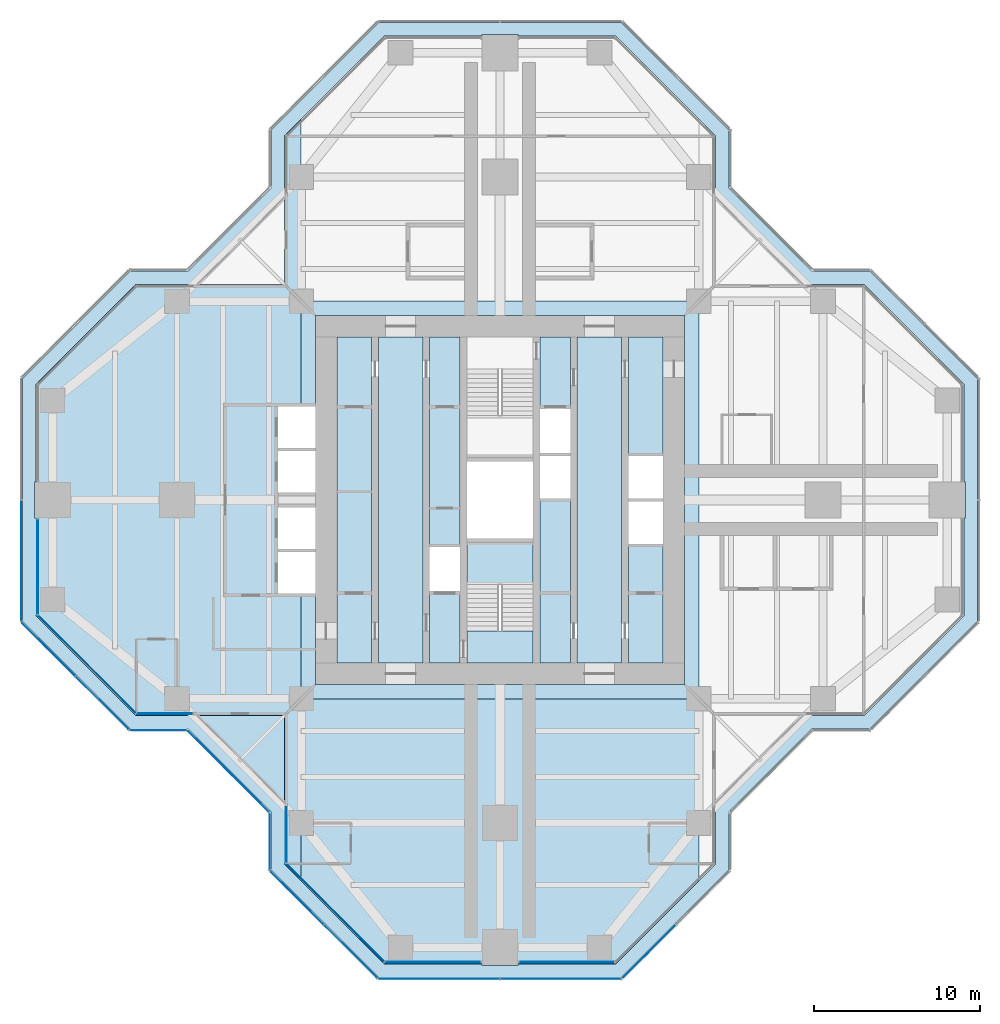
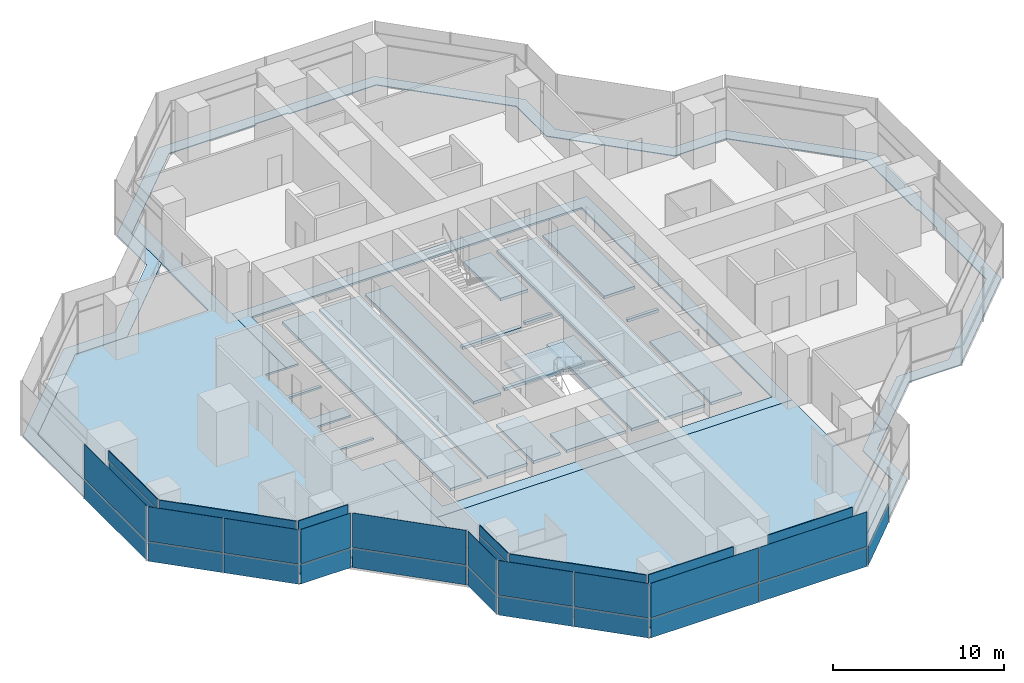
# One storey, part 10 of 17: 36 plates, 7 slabs, 16 elements without a shape of their own.
"""IFC4 building model written with IfcOpenShell, lengths in metres."""

from ifc_helpers import new_model, si_unit, direction, frame, origin, origin_2d, place, context, subcontext, project, spatial, polyline, rectangle, outline, extrude, material, layer, layer_set, type_object, element, aggregate, save


model = new_model("IFC4")

# Units and contexts
model_context = context("Model", 3, precision=1e-05, world=origin(), true_north=direction((0.0, 1.0)))
body_context = subcontext(model_context, "Body", "Model", "MODEL_VIEW")
ifc_project = project(units=[si_unit("LENGTHUNIT", "METRE"), si_unit("AREAUNIT", "SQUARE_METRE"), si_unit("VOLUMEUNIT", "CUBIC_METRE"), si_unit("PLANEANGLEUNIT", "RADIAN"), si_unit("MASSUNIT", "GRAM", prefix="KILO")], contexts=[model_context])

# Site, building, storey
site_placement = place(None, origin())
site = spatial("IfcSite", under=ifc_project, at=site_placement, CompositionType="ELEMENT")
building_placement = place(site_placement, origin())
building = spatial("IfcBuilding", under=site, at=building_placement, Name="Mizan Broadcast Tower", CompositionType="ELEMENT")
storey_placement = place(building_placement, frame((0.0, 0.0, 236.10009765625)))
storey = spatial("IfcBuildingStorey", under=building, at=storey_placement, Name="L55", CompositionType="ELEMENT", Elevation=236.10009765625)

# Plate
ifc_material_1 = material(Name="Aluminium grating", Category="aluminium")
ifc_layer_1 = layer(ifc_material_1, 0.050048828125)
ifc_layer_set_1 = layer_set([ifc_layer_1], Name="Aluminium grating")
plate_type_1 = type_object("IfcPlateType", Name="CAVITY GRATING", PredefinedType="USERDEFINED", material=ifc_layer_set_1)
plate_1_placement = place(storey_placement, frame((0.0, 0.0, -0.050048828125)))
element("IfcPlate", 1, at=plate_1_placement, inside=storey, type_object=plate_type_1, Name="Cavity grating L55", ObjectType="GRATING", PredefinedType="USERDEFINED", context=body_context, shape_type="SweptSolid", body=[
    extrude(outline(polyline([(13.820068359375, -18.839599609375), (18.839599609375, -13.820068359375), (22.339599609375, -13.820068359375), (28.820068359375, -7.339599609375), (28.820068359375, 7.339599609375), (22.339599609375, 13.820068359375), (18.839599609375, 13.820068359375), (13.820068359375, 18.839599609375), (13.820068359375, 22.339599609375), (7.339599609375, 28.820068359375), (-7.339599609375, 28.820068359375), (-13.820068359375, 22.339599609375), (-13.820068359375, 18.839599609375), (-18.839599609375, 13.820068359375), (-22.339599609375, 13.820068359375), (-28.820068359375, 7.339599609375), (-28.820068359375, -7.339599609375), (-22.339599609375, -13.820068359375), (-18.839599609375, -13.820068359375), (-13.820068359375, -18.839599609375), (-13.820068359375, -22.339599609375), (-7.339599609375, -28.820068359375), (7.339599609375, -28.820068359375), (13.820068359375, -22.339599609375), (13.820068359375, -18.839599609375)]), holes=[polyline([(28.0, -1.10009765625), (28.0, -7.0), (22.0, -13.0), (18.5, -13.0), (13.0, -18.5), (13.0, -22.0), (7.0, -28.0), (1.10009765625, -28.0), (1.10009765625, -28.10009765625), (-1.10009765625, -28.10009765625), (-1.10009765625, -28.0), (-7.0, -28.0), (-13.0, -22.0), (-13.0, -18.5), (-18.5, -13.0), (-22.0, -13.0), (-28.0, -7.0), (-28.0, -1.10009765625), (-28.10009765625, -1.10009765625), (-28.10009765625, 1.10009765625), (-28.0, 1.10009765625), (-28.0, 7.0), (-22.0, 13.0), (-18.5, 13.0), (-13.0, 18.5), (-13.0, 22.0), (-7.0, 28.0), (-1.10009765625, 28.0), (-1.10009765625, 28.10009765625), (1.10009765625, 28.10009765625), (1.10009765625, 28.0), (7.0, 28.0), (13.0, 22.0), (13.0, 18.5), (18.5, 13.0), (22.0, 13.0), (28.0, 7.0), (28.0, 1.10009765625), (28.10009765625, 1.10009765625), (28.10009765625, -1.10009765625), (28.0, -1.10009765625)])]), origin(), (0.0, 0.0, 1.0), 0.050048828125),
])

# Slabs
ifc_material_2 = material(Name="Concrete C32/40", Category="concrete")
ifc_layer_2 = layer(ifc_material_2, 0.1298828125)
ifc_layer_set_2 = layer_set([ifc_layer_2], Name="Concrete C32/40")
slab_type_1 = type_object("IfcSlabType", Name="COMPOSITE DECK SLAB 130", PredefinedType="FLOOR", material=ifc_layer_set_2)
slab_1_placement = place(storey_placement, frame((0.0, 0.0, -0.130126953125)))
element("IfcSlab", 2, at=slab_1_placement, inside=storey, type_object=slab_type_1, Name="Floor slab L55 centre", PredefinedType="FLOOR", context=body_context, shape_type="SweptSolid", body=[
    extrude(outline(polyline([(-11.14990234375, -5.64990234375), (-12.0, -5.64990234375), (-12.0, -12.0), (12.0, -12.0), (12.0, 12.0), (-12.0, 12.0), (-12.0, 5.64990234375), (-11.14990234375, 5.64990234375), (-11.14990234375, 11.14990234375), (11.14990234375, 11.14990234375), (11.14990234375, -11.14990234375), (-11.14990234375, -11.14990234375), (-11.14990234375, -5.64990234375)])), origin(), (0.0, 0.0, 1.0), 0.130126953125),
])
slab_2_placement = place(storey_placement, frame((0.0, 0.0, -0.130126953125)))
element("IfcSlab", 3, at=slab_2_placement, inside=storey, type_object=slab_type_1, Name="Floor slab L55 west arm", PredefinedType="FLOOR", context=body_context, shape_type="SweptSolid", body=[
    extrude(outline(polyline([(-22.0, 13.0), (-28.0, 7.0), (-28.0, -7.0), (-22.0, -13.0), (-13.0, -13.0), (-13.0, -22.0), (-12.0, -23.0), (-12.0, -5.64990234375), (-13.39990234375, -5.64990234375), (-13.39990234375, -3.14990234375), (-11.14990234375, -3.14990234375), (-11.14990234375, -2.949951171875), (-13.39990234375, -2.949951171875), (-13.39990234375, -0.449951171875), (-11.14990234375, -0.449951171875), (-11.14990234375, 0.449951171875), (-13.39990234375, 0.449951171875), (-13.39990234375, 2.949951171875), (-11.14990234375, 2.949951171875), (-11.14990234375, 3.14990234375), (-13.39990234375, 3.14990234375), (-13.39990234375, 5.64990234375), (-12.0, 5.64990234375), (-12.0, 23.0), (-13.0, 22.0), (-13.0, 13.0), (-22.0, 13.0)])), origin(), (0.0, 0.0, 1.0), 0.130126953125),
])
slab_3_placement = place(storey_placement, frame((0.0, 0.0, -0.130126953125)))
element("IfcSlab", 4, at=slab_3_placement, inside=storey, type_object=slab_type_1, Name="Floor slab L55 south arm", PredefinedType="FLOOR", context=body_context, shape_type="SweptSolid", body=[
    extrude(outline(polyline([(7.0, -28.0), (12.0, -23.0), (12.0, -12.0), (-12.0, -12.0), (-12.0, -23.0), (-7.0, -28.0), (7.0, -28.0)])), origin(), (0.0, 0.0, 1.0), 0.130126953125),
])
ifc_material_3 = material(Name="Concrete C40/50", Category="concrete")
ifc_layer_3 = layer(ifc_material_3, 0.199951171875)
ifc_layer_set_3 = layer_set([ifc_layer_3], Name="Concrete C40/50")
slab_type_2 = type_object("IfcSlabType", Name="CORE FLOOR 200", PredefinedType="FLOOR", material=ifc_layer_set_3)
slab_4_placement = place(storey_placement, frame((0.0, 0.0, -0.2001953125)))
element("IfcSlab", 5, at=slab_4_placement, inside=storey, type_object=slab_type_2, Name="Core floor L55", PredefinedType="FLOOR", context=body_context, shape_type="SweptSolid", body=[
    extrude(outline(polyline([(-9.85009765625, -9.85009765625), (-7.75, -9.85009765625), (-7.75, 9.85009765625), (-9.85009765625, 9.85009765625), (-9.85009765625, -9.85009765625)])), origin(), (0.0, 0.0, 1.0), 0.2001953125),
    extrude(outline(polyline([(-4.64990234375, 9.85009765625), (-7.35009765625, 9.85009765625), (-7.35009765625, -9.85009765625), (-4.64990234375, -9.85009765625), (-4.64990234375, 9.85009765625)])), origin(), (0.0, 0.0, 1.0), 0.2001953125),
    extrude(outline(polyline([(-4.25, -5.5), (-4.25, -9.85009765625), (-2.39990234375, -9.85009765625), (-2.39990234375, -5.5), (-4.25, -5.5)])), origin(), (0.0, 0.0, 1.0), 0.2001953125),
    extrude(outline(polyline([(-4.25, -2.85009765625), (-2.39990234375, -2.85009765625), (-2.39990234375, 9.85009765625), (-4.25, 9.85009765625), (-4.25, -2.85009765625)])), origin(), (0.0, 0.0, 1.0), 0.2001953125),
    extrude(outline(polyline([(2.0, -2.324951171875), (-2.0, -2.324951171875), (-2.0, -2.574951171875), (2.0, -2.574951171875), (2.0, -2.324951171875)])), origin(), (0.0, 0.0, 1.0), 0.2001953125),
    extrude(outline(polyline([(2.0, 2.574951171875), (-2.0, 2.574951171875), (-2.0, 2.324951171875), (2.0, 2.324951171875), (2.0, 2.574951171875)])), origin(), (0.0, 0.0, 1.0), 0.2001953125),
    extrude(outline(polyline([(4.25, -9.85009765625), (4.25, 0.10009765625), (2.39990234375, 0.10009765625), (2.39990234375, -9.85009765625), (4.25, -9.85009765625)])), origin(), (0.0, 0.0, 1.0), 0.2001953125),
    extrude(outline(polyline([(4.25, 2.64990234375), (4.25, 2.85009765625), (2.39990234375, 2.85009765625), (2.39990234375, 2.64990234375), (4.25, 2.64990234375)])), origin(), (0.0, 0.0, 1.0), 0.2001953125),
    extrude(outline(polyline([(4.25, 5.5), (4.25, 9.85009765625), (2.39990234375, 9.85009765625), (2.39990234375, 5.5), (4.25, 5.5)])), origin(), (0.0, 0.0, 1.0), 0.2001953125),
    extrude(outline(polyline([(4.64990234375, 9.85009765625), (4.64990234375, -9.85009765625), (7.35009765625, -9.85009765625), (7.35009765625, 9.85009765625), (4.64990234375, 9.85009765625)])), origin(), (0.0, 0.0, 1.0), 0.2001953125),
    extrude(outline(polyline([(9.85009765625, -9.85009765625), (9.85009765625, -2.64990234375), (7.75, -2.64990234375), (7.75, -9.85009765625), (9.85009765625, -9.85009765625)])), origin(), (0.0, 0.0, 1.0), 0.2001953125),
    extrude(outline(polyline([(9.85009765625, -0.10009765625), (9.85009765625, 0.10009765625), (7.75, 0.10009765625), (7.75, -0.10009765625), (9.85009765625, -0.10009765625)])), origin(), (0.0, 0.0, 1.0), 0.2001953125),
    extrude(outline(polyline([(7.75, 9.85009765625), (7.75, 2.64990234375), (9.85009765625, 2.64990234375), (9.85009765625, 9.85009765625), (7.75, 9.85009765625)])), origin(), (0.0, 0.0, 1.0), 0.2001953125),
])

# Curtain wall, plate
ifc_material_4 = material(Name="Aluminium framed glazing", Category="aluminium")
curtain_wall_type_1 = type_object("IfcCurtainWallType", Name="INNER SKIN HIGH ZONE", PredefinedType="USERDEFINED", material=ifc_material_4)
curtain_wall_1_placement = place(storey_placement, origin())
curtain_wall_1 = element("IfcCurtainWall", 6, at=curtain_wall_1_placement, inside=storey, type_object=curtain_wall_type_1, Name="Inner skin high zone L55 W end", ObjectType="INNER SKIN HIGH ZONE", PredefinedType="USERDEFINED")
ifc_material_5 = material(Name="Double glazing, clear low-e", Category="glass")
ifc_layer_4 = layer(ifc_material_5, 0.028076171875)
ifc_layer_set_4 = layer_set([ifc_layer_4], Name="Double glazing, clear low-e")
plate_type_2 = type_object("IfcPlateType", Name="INNER SKIN GLAZING UNIT", PredefinedType="CURTAIN_PANEL", material=ifc_layer_set_4)
plate_2_placement = place(storey_placement, frame((-27.89990234375, -4.029296875, 0.0), z_axis=(0.0, 0.0, 1.0), x_axis=(0.0, -1.0, 0.0)))
plate_2 = element("IfcPlate", 7, at=plate_2_placement, type_object=plate_type_2, Name="Inner skin high zone L55 W end panel 1.1", PredefinedType="CURTAIN_PANEL", context=body_context, shape_type="SweptSolid", body=[
    extrude(rectangle(XDim=5.738525390625, YDim=0.028076171875, at=origin_2d()), origin(), (0.0, 0.0, 1.0), 3.0),
])

curtain_wall_2_placement = place(storey_placement, origin())
curtain_wall_2 = element("IfcCurtainWall", 8, at=curtain_wall_2_placement, inside=storey, type_object=curtain_wall_type_1, Name="Inner skin high zone L55 W chamfer", ObjectType="INNER SKIN HIGH ZONE", PredefinedType="USERDEFINED")
plate_3_placement = place(storey_placement, frame((-24.92919921875, -9.92919921875, 0.0), z_axis=(0.0, 0.0, 1.0), x_axis=(0.707106781187, -0.707106781187, 0.0)))
plate_3 = element("IfcPlate", 9, at=plate_3_placement, type_object=plate_type_2, Name="Inner skin high zone L55 W chamfer panel 1.1", PredefinedType="CURTAIN_PANEL", context=body_context, shape_type="SweptSolid", body=[
    extrude(rectangle(XDim=8.282470703125, YDim=0.028076171875, at=origin_2d()), origin(), (0.0, 0.0, 1.0), 3.0),
])

curtain_wall_3_placement = place(storey_placement, origin())
curtain_wall_3 = element("IfcCurtainWall", 10, at=curtain_wall_3_placement, inside=storey, type_object=curtain_wall_type_1, Name="Inner skin high zone L55 W side", ObjectType="INNER SKIN HIGH ZONE", PredefinedType="USERDEFINED")
plate_4_placement = place(storey_placement, frame((-20.229248046875, -12.89990234375, 0.0), z_axis=(0.0, 0.0, 1.0), x_axis=(1.0, 0.0, 0.0)))
plate_4 = element("IfcPlate", 11, at=plate_4_placement, type_object=plate_type_2, Name="Inner skin high zone L55 W side panel 1.1", PredefinedType="CURTAIN_PANEL", context=body_context, shape_type="SweptSolid", body=[
    extrude(rectangle(XDim=3.338623046875, YDim=0.028076171875, at=origin_2d()), origin(), (0.0, 0.0, 1.0), 3.0),
])

curtain_wall_4_placement = place(storey_placement, origin())
curtain_wall_4 = element("IfcCurtainWall", 12, at=curtain_wall_4_placement, inside=storey, type_object=curtain_wall_type_1, Name="Inner skin high zone L55 S side", ObjectType="INNER SKIN HIGH ZONE", PredefinedType="USERDEFINED")
plate_5_placement = place(storey_placement, frame((-12.89990234375, -20.229248046875, 0.0), z_axis=(0.0, 0.0, 1.0), x_axis=(0.0, -1.0, 0.0)))
plate_5 = element("IfcPlate", 13, at=plate_5_placement, type_object=plate_type_2, Name="Inner skin high zone L55 S side panel 1.1", PredefinedType="CURTAIN_PANEL", context=body_context, shape_type="SweptSolid", body=[
    extrude(rectangle(XDim=3.338623046875, YDim=0.028076171875, at=origin_2d()), origin(), (0.0, 0.0, 1.0), 3.0),
])

curtain_wall_5_placement = place(storey_placement, origin())
curtain_wall_5 = element("IfcCurtainWall", 14, at=curtain_wall_5_placement, inside=storey, type_object=curtain_wall_type_1, Name="Inner skin high zone L55 S chamfer", ObjectType="INNER SKIN HIGH ZONE", PredefinedType="USERDEFINED")
plate_6_placement = place(storey_placement, frame((-9.92919921875, -24.92919921875, 0.0), z_axis=(0.0, 0.0, 1.0), x_axis=(0.707106781187, -0.707106781187, 0.0)))
plate_6 = element("IfcPlate", 15, at=plate_6_placement, type_object=plate_type_2, Name="Inner skin high zone L55 S chamfer panel 1.1", PredefinedType="CURTAIN_PANEL", context=body_context, shape_type="SweptSolid", body=[
    extrude(rectangle(XDim=8.282470703125, YDim=0.028076171875, at=origin_2d()), origin(), (0.0, 0.0, 1.0), 3.0),
])

curtain_wall_6_placement = place(storey_placement, origin())
curtain_wall_6 = element("IfcCurtainWall", 16, at=curtain_wall_6_placement, inside=storey, type_object=curtain_wall_type_1, Name="Inner skin high zone L55 S end", ObjectType="INNER SKIN HIGH ZONE", PredefinedType="USERDEFINED")
plate_7_placement = place(storey_placement, frame((-4.029296875, -27.89990234375, 0.0), z_axis=(0.0, 0.0, 1.0), x_axis=(1.0, 0.0, 0.0)))
plate_7 = element("IfcPlate", 17, at=plate_7_placement, type_object=plate_type_2, Name="Inner skin high zone L55 S end panel 1.1", PredefinedType="CURTAIN_PANEL", context=body_context, shape_type="SweptSolid", body=[
    extrude(rectangle(XDim=5.738525390625, YDim=0.028076171875, at=origin_2d()), origin(), (0.0, 0.0, 1.0), 3.0),
])

curtain_wall_7_placement = place(storey_placement, origin())
curtain_wall_7 = element("IfcCurtainWall", 18, at=curtain_wall_7_placement, inside=storey, type_object=curtain_wall_type_1, Name="Inner skin high zone L55 S end", ObjectType="INNER SKIN HIGH ZONE", PredefinedType="USERDEFINED")
plate_8_placement = place(storey_placement, frame((4.029296875, -27.89990234375, 0.0), z_axis=(0.0, 0.0, 1.0), x_axis=(1.0, 0.0, 0.0)))
plate_8 = element("IfcPlate", 19, at=plate_8_placement, type_object=plate_type_2, Name="Inner skin high zone L55 S end panel 1.1", PredefinedType="CURTAIN_PANEL", context=body_context, shape_type="SweptSolid", body=[
    extrude(rectangle(XDim=5.738525390625, YDim=0.028076171875, at=origin_2d()), origin(), (0.0, 0.0, 1.0), 3.0),
])

# Plate
ifc_material_6 = material(Name="Insulated aluminium spandrel panel, pale anodised", Category="aluminium")
ifc_layer_5 = layer(ifc_material_6, 0.050048828125)
ifc_layer_set_5 = layer_set([ifc_layer_5], Name="Insulated aluminium spandrel panel, pale anodised")
plate_type_3 = type_object("IfcPlateType", Name="INNER SKIN SPANDREL PANEL", PredefinedType="CURTAIN_PANEL", material=ifc_layer_set_5)
plate_9_placement = place(storey_placement, frame((-27.89990234375, -4.029296875, 3.059814453125), z_axis=(0.0, 0.0, 1.0), x_axis=(0.0, -1.0, 0.0)))
plate_9 = element("IfcPlate", 20, at=plate_9_placement, type_object=plate_type_3, Name="Inner skin high zone L55 W end panel 1.2", PredefinedType="CURTAIN_PANEL", context=body_context, shape_type="SweptSolid", body=[
    extrude(rectangle(XDim=5.738525390625, YDim=0.050048828125, at=origin_2d()), origin(), (0.0, 0.0, 1.0), 0.7099609375),
])

aggregate(curtain_wall_1, [plate_2, plate_9])

plate_10_placement = place(storey_placement, frame((-24.92919921875, -9.92919921875, 3.059814453125), z_axis=(0.0, 0.0, 1.0), x_axis=(0.707106781187, -0.707106781187, 0.0)))
plate_10 = element("IfcPlate", 21, at=plate_10_placement, type_object=plate_type_3, Name="Inner skin high zone L55 W chamfer panel 1.2", PredefinedType="CURTAIN_PANEL", context=body_context, shape_type="SweptSolid", body=[
    extrude(rectangle(XDim=8.282470703125, YDim=0.050048828125, at=origin_2d()), origin(), (0.0, 0.0, 1.0), 0.7099609375),
])

aggregate(curtain_wall_2, [plate_3, plate_10])

plate_11_placement = place(storey_placement, frame((-20.229248046875, -12.89990234375, 3.059814453125), z_axis=(0.0, 0.0, 1.0), x_axis=(1.0, 0.0, 0.0)))
plate_11 = element("IfcPlate", 22, at=plate_11_placement, type_object=plate_type_3, Name="Inner skin high zone L55 W side panel 1.2", PredefinedType="CURTAIN_PANEL", context=body_context, shape_type="SweptSolid", body=[
    extrude(rectangle(XDim=3.338623046875, YDim=0.050048828125, at=origin_2d()), origin(), (0.0, 0.0, 1.0), 0.7099609375),
])

aggregate(curtain_wall_3, [plate_4, plate_11])

plate_12_placement = place(storey_placement, frame((-12.89990234375, -20.229248046875, 3.059814453125), z_axis=(0.0, 0.0, 1.0), x_axis=(0.0, -1.0, 0.0)))
plate_12 = element("IfcPlate", 23, at=plate_12_placement, type_object=plate_type_3, Name="Inner skin high zone L55 S side panel 1.2", PredefinedType="CURTAIN_PANEL", context=body_context, shape_type="SweptSolid", body=[
    extrude(rectangle(XDim=3.338623046875, YDim=0.050048828125, at=origin_2d()), origin(), (0.0, 0.0, 1.0), 0.7099609375),
])

aggregate(curtain_wall_4, [plate_5, plate_12])

plate_13_placement = place(storey_placement, frame((-9.92919921875, -24.92919921875, 3.059814453125), z_axis=(0.0, 0.0, 1.0), x_axis=(0.707106781187, -0.707106781187, 0.0)))
plate_13 = element("IfcPlate", 24, at=plate_13_placement, type_object=plate_type_3, Name="Inner skin high zone L55 S chamfer panel 1.2", PredefinedType="CURTAIN_PANEL", context=body_context, shape_type="SweptSolid", body=[
    extrude(rectangle(XDim=8.282470703125, YDim=0.050048828125, at=origin_2d()), origin(), (0.0, 0.0, 1.0), 0.7099609375),
])

aggregate(curtain_wall_5, [plate_6, plate_13])

plate_14_placement = place(storey_placement, frame((-4.029296875, -27.89990234375, 3.059814453125), z_axis=(0.0, 0.0, 1.0), x_axis=(1.0, 0.0, 0.0)))
plate_14 = element("IfcPlate", 25, at=plate_14_placement, type_object=plate_type_3, Name="Inner skin high zone L55 S end panel 1.2", PredefinedType="CURTAIN_PANEL", context=body_context, shape_type="SweptSolid", body=[
    extrude(rectangle(XDim=5.738525390625, YDim=0.050048828125, at=origin_2d()), origin(), (0.0, 0.0, 1.0), 0.7099609375),
])

aggregate(curtain_wall_6, [plate_7, plate_14])

plate_15_placement = place(storey_placement, frame((4.029296875, -27.89990234375, 3.059814453125), z_axis=(0.0, 0.0, 1.0), x_axis=(1.0, 0.0, 0.0)))
plate_15 = element("IfcPlate", 26, at=plate_15_placement, type_object=plate_type_3, Name="Inner skin high zone L55 S end panel 1.2", PredefinedType="CURTAIN_PANEL", context=body_context, shape_type="SweptSolid", body=[
    extrude(rectangle(XDim=5.738525390625, YDim=0.050048828125, at=origin_2d()), origin(), (0.0, 0.0, 1.0), 0.7099609375),
])

aggregate(curtain_wall_7, [plate_8, plate_15])

# Curtain wall, plates
ifc_material_7 = material(Name="Aluminium framed glazing", Category="aluminium")
curtain_wall_type_2 = type_object("IfcCurtainWallType", Name="OUTER SKIN", PredefinedType="USERDEFINED", material=ifc_material_7)
curtain_wall_8_placement = place(storey_placement, origin())
curtain_wall_8 = element("IfcCurtainWall", 27, at=curtain_wall_8_placement, inside=storey, type_object=curtain_wall_type_2, Name="Outer skin L55 W chamfer", ObjectType="OUTER SKIN", PredefinedType="USERDEFINED")
ifc_material_8 = material(Name="Laminated clear glass", Category="glass")
ifc_layer_6 = layer(ifc_material_8, 0.02001953125)
ifc_layer_set_6 = layer_set([ifc_layer_6], Name="Laminated clear glass")
plate_type_4 = type_object("IfcPlateType", Name="OUTER SKIN CLEAR GLASS", PredefinedType="CURTAIN_PANEL", material=ifc_layer_set_6)
plate_16_placement = place(storey_placement, frame((-27.254150390625, -9.018798828125, -0.000244140625), z_axis=(0.0, 0.0, 1.0), x_axis=(0.707106781187, -0.707106781187, 0.0)))
plate_16 = element("IfcPlate", 28, at=plate_16_placement, type_object=plate_type_4, Name="Outer skin L55 W chamfer panel 1.1", PredefinedType="CURTAIN_PANEL", context=body_context, shape_type="SweptSolid", body=[
    extrude(rectangle(XDim=4.495361328125, YDim=0.02001953125, at=origin_2d()), origin(), (0.0, 0.0, 1.0), 1.3701171875),
])
plate_17_placement = place(storey_placement, frame((-27.254150390625, -9.018798828125, 1.4296875), z_axis=(0.0, 0.0, 1.0), x_axis=(0.707106781187, -0.707106781187, 0.0)))
plate_17 = element("IfcPlate", 29, at=plate_17_placement, type_object=plate_type_4, Name="Outer skin L55 W chamfer panel 1.2", PredefinedType="CURTAIN_PANEL", context=body_context, shape_type="SweptSolid", body=[
    extrude(rectangle(XDim=4.495361328125, YDim=0.02001953125, at=origin_2d()), origin(), (0.0, 0.0, 1.0), 2.469970703125),
])

curtain_wall_9_placement = place(storey_placement, origin())
curtain_wall_9 = element("IfcCurtainWall", 30, at=curtain_wall_9_placement, inside=storey, type_object=curtain_wall_type_2, Name="Outer skin L55 W side", ObjectType="OUTER SKIN", PredefinedType="USERDEFINED")
plate_18_placement = place(storey_placement, frame((-20.622802734375, -13.89990234375, -0.000244140625), z_axis=(0.0, 0.0, 1.0), x_axis=(1.0, 0.0, 0.0)))
plate_18 = element("IfcPlate", 31, at=plate_18_placement, type_object=plate_type_4, Name="Outer skin L55 W side panel 1.1", PredefinedType="CURTAIN_PANEL", context=body_context, shape_type="SweptSolid", body=[
    extrude(rectangle(XDim=3.340087890625, YDim=0.02001953125, at=origin_2d()), origin(), (0.0, 0.0, 1.0), 1.3701171875),
])
plate_19_placement = place(storey_placement, frame((-20.622802734375, -13.89990234375, 1.4296875), z_axis=(0.0, 0.0, 1.0), x_axis=(1.0, 0.0, 0.0)))
plate_19 = element("IfcPlate", 32, at=plate_19_placement, type_object=plate_type_4, Name="Outer skin L55 W side panel 1.2", PredefinedType="CURTAIN_PANEL", context=body_context, shape_type="SweptSolid", body=[
    extrude(rectangle(XDim=3.340087890625, YDim=0.02001953125, at=origin_2d()), origin(), (0.0, 0.0, 1.0), 2.469970703125),
])
aggregate(curtain_wall_9, [plate_18, plate_19])

curtain_wall_10_placement = place(storey_placement, origin())
curtain_wall_10 = element("IfcCurtainWall", 33, at=curtain_wall_10_placement, inside=storey, type_object=curtain_wall_type_2, Name="Outer skin L55 W chamfer", ObjectType="OUTER SKIN", PredefinedType="USERDEFINED")
plate_20_placement = place(storey_placement, frame((-16.386474609375, -16.386474609375, -0.000244140625), z_axis=(0.0, 0.0, 1.0), x_axis=(0.707106781187, -0.707106781187, 0.0)))
plate_20 = element("IfcPlate", 34, at=plate_20_placement, type_object=plate_type_4, Name="Outer skin L55 W chamfer panel 1.1", PredefinedType="CURTAIN_PANEL", context=body_context, shape_type="SweptSolid", body=[
    extrude(rectangle(XDim=6.87255859375, YDim=0.02001953125, at=origin_2d()), origin(), (0.0, 0.0, 1.0), 1.3701171875),
])
plate_21_placement = place(storey_placement, frame((-16.386474609375, -16.386474609375, 1.4296875), z_axis=(0.0, 0.0, 1.0), x_axis=(0.707106781187, -0.707106781187, 0.0)))
plate_21 = element("IfcPlate", 35, at=plate_21_placement, type_object=plate_type_4, Name="Outer skin L55 W chamfer panel 1.2", PredefinedType="CURTAIN_PANEL", context=body_context, shape_type="SweptSolid", body=[
    extrude(rectangle(XDim=6.87255859375, YDim=0.02001953125, at=origin_2d()), origin(), (0.0, 0.0, 1.0), 2.469970703125),
])
aggregate(curtain_wall_10, [plate_20, plate_21])

curtain_wall_11_placement = place(storey_placement, origin())
curtain_wall_11 = element("IfcCurtainWall", 36, at=curtain_wall_11_placement, inside=storey, type_object=curtain_wall_type_2, Name="Outer skin L55 S side", ObjectType="OUTER SKIN", PredefinedType="USERDEFINED")
plate_22_placement = place(storey_placement, frame((-13.89990234375, -20.622802734375, -0.000244140625), z_axis=(0.0, 0.0, 1.0), x_axis=(0.0, -1.0, 0.0)))
plate_22 = element("IfcPlate", 37, at=plate_22_placement, type_object=plate_type_4, Name="Outer skin L55 S side panel 1.1", PredefinedType="CURTAIN_PANEL", context=body_context, shape_type="SweptSolid", body=[
    extrude(rectangle(XDim=3.340087890625, YDim=0.02001953125, at=origin_2d()), origin(), (0.0, 0.0, 1.0), 1.3701171875),
])
plate_23_placement = place(storey_placement, frame((-13.89990234375, -20.622802734375, 1.4296875), z_axis=(0.0, 0.0, 1.0), x_axis=(0.0, -1.0, 0.0)))
plate_23 = element("IfcPlate", 38, at=plate_23_placement, type_object=plate_type_4, Name="Outer skin L55 S side panel 1.2", PredefinedType="CURTAIN_PANEL", context=body_context, shape_type="SweptSolid", body=[
    extrude(rectangle(XDim=3.340087890625, YDim=0.02001953125, at=origin_2d()), origin(), (0.0, 0.0, 1.0), 2.469970703125),
])
aggregate(curtain_wall_11, [plate_22, plate_23])

curtain_wall_12_placement = place(storey_placement, origin())
curtain_wall_12 = element("IfcCurtainWall", 39, at=curtain_wall_12_placement, inside=storey, type_object=curtain_wall_type_2, Name="Outer skin L55 S chamfer", ObjectType="OUTER SKIN", PredefinedType="USERDEFINED")
plate_24_placement = place(storey_placement, frame((-12.254150390625, -24.018798828125, -0.000244140625), z_axis=(0.0, 0.0, 1.0), x_axis=(0.707106781187, -0.707106781187, 0.0)))
plate_24 = element("IfcPlate", 40, at=plate_24_placement, type_object=plate_type_4, Name="Outer skin L55 S chamfer panel 1.1", PredefinedType="CURTAIN_PANEL", context=body_context, shape_type="SweptSolid", body=[
    extrude(rectangle(XDim=4.495361328125, YDim=0.02001953125, at=origin_2d()), origin(), (0.0, 0.0, 1.0), 1.3701171875),
])
plate_25_placement = place(storey_placement, frame((-12.254150390625, -24.018798828125, 1.4296875), z_axis=(0.0, 0.0, 1.0), x_axis=(0.707106781187, -0.707106781187, 0.0)))
plate_25 = element("IfcPlate", 41, at=plate_25_placement, type_object=plate_type_4, Name="Outer skin L55 S chamfer panel 1.2", PredefinedType="CURTAIN_PANEL", context=body_context, shape_type="SweptSolid", body=[
    extrude(rectangle(XDim=4.495361328125, YDim=0.02001953125, at=origin_2d()), origin(), (0.0, 0.0, 1.0), 2.469970703125),
])

curtain_wall_13_placement = place(storey_placement, origin())
curtain_wall_13 = element("IfcCurtainWall", 42, at=curtain_wall_13_placement, inside=storey, type_object=curtain_wall_type_2, Name="Outer skin L55 S end", ObjectType="OUTER SKIN", PredefinedType="USERDEFINED")
plate_26_placement = place(storey_placement, frame((-3.66650390625, -28.89990234375, -0.000244140625), z_axis=(0.0, 0.0, 1.0), x_axis=(1.0, 0.0, 0.0)))
plate_26 = element("IfcPlate", 43, at=plate_26_placement, type_object=plate_type_4, Name="Outer skin L55 S end panel 1.1", PredefinedType="CURTAIN_PANEL", context=body_context, shape_type="SweptSolid", body=[
    extrude(rectangle(XDim=7.252685546875, YDim=0.02001953125, at=origin_2d()), origin(), (0.0, 0.0, 1.0), 1.3701171875),
])
plate_27_placement = place(storey_placement, frame((-3.66650390625, -28.89990234375, 1.4296875), z_axis=(0.0, 0.0, 1.0), x_axis=(1.0, 0.0, 0.0)))
plate_27 = element("IfcPlate", 44, at=plate_27_placement, type_object=plate_type_4, Name="Outer skin L55 S end panel 1.2", PredefinedType="CURTAIN_PANEL", context=body_context, shape_type="SweptSolid", body=[
    extrude(rectangle(XDim=7.252685546875, YDim=0.02001953125, at=origin_2d()), origin(), (0.0, 0.0, 1.0), 2.469970703125),
])

# Curtain wall, plate
curtain_wall_14_placement = place(storey_placement, origin())
curtain_wall_14 = element("IfcCurtainWall", 45, at=curtain_wall_14_placement, inside=storey, type_object=curtain_wall_type_2, Name="Outer skin L55 S chamfer", ObjectType="OUTER SKIN", PredefinedType="USERDEFINED")
plate_28_placement = place(storey_placement, frame((9.018798828125, -27.254150390625, -0.000244140625), z_axis=(0.0, 0.0, 1.0), x_axis=(0.707106781187, 0.707106781187, 0.0)))
plate_28 = element("IfcPlate", 46, at=plate_28_placement, type_object=plate_type_4, Name="Outer skin L55 S chamfer panel 1.1", PredefinedType="CURTAIN_PANEL", context=body_context, shape_type="SweptSolid", body=[
    extrude(rectangle(XDim=4.495361328125, YDim=0.02001953125, at=origin_2d()), origin(), (0.0, 0.0, 1.0), 1.3701171875),
])
aggregate(curtain_wall_14, [plate_28])

# Curtain wall, plates
curtain_wall_15_placement = place(storey_placement, origin())
curtain_wall_15 = element("IfcCurtainWall", 47, at=curtain_wall_15_placement, inside=storey, type_object=curtain_wall_type_2, Name="Outer skin L55 W end", ObjectType="OUTER SKIN", PredefinedType="USERDEFINED")
ifc_material_9 = material(Name="Perforated aluminium, pale anodised", Category="aluminium")
ifc_layer_7 = layer(ifc_material_9, 0.011962890625)
ifc_layer_set_7 = layer_set([ifc_layer_7], Name="Perforated aluminium, pale anodised")
plate_type_5 = type_object("IfcPlateType", Name="OUTER SKIN PERFORATED SCREEN", PredefinedType="USERDEFINED", material=ifc_layer_set_7)
plate_29_placement = place(storey_placement, frame((-28.89990234375, -3.66650390625, -0.000244140625), z_axis=(0.0, 0.0, 1.0), x_axis=(0.0, -1.0, 0.0)))
plate_29 = element("IfcPlate", 48, at=plate_29_placement, type_object=plate_type_5, Name="Outer skin L55 W end panel 2.1", ObjectType="SCREEN", PredefinedType="USERDEFINED", context=body_context, shape_type="SweptSolid", body=[
    extrude(rectangle(XDim=7.252685546875, YDim=0.011962890625, at=origin_2d()), origin(), (0.0, 0.0, 1.0), 1.3701171875),
])
plate_30_placement = place(storey_placement, frame((-28.89990234375, -3.66650390625, 1.4296875), z_axis=(0.0, 0.0, 1.0), x_axis=(0.0, -1.0, 0.0)))
plate_30 = element("IfcPlate", 49, at=plate_30_placement, type_object=plate_type_5, Name="Outer skin L55 W end panel 2.2", ObjectType="SCREEN", PredefinedType="USERDEFINED", context=body_context, shape_type="SweptSolid", body=[
    extrude(rectangle(XDim=7.252685546875, YDim=0.011962890625, at=origin_2d()), origin(), (0.0, 0.0, 1.0), 2.469970703125),
])
aggregate(curtain_wall_15, [plate_29, plate_30])

# Plate
plate_31_placement = place(storey_placement, frame((-24.018798828125, -12.254150390625, -0.000244140625), z_axis=(0.0, 0.0, 1.0), x_axis=(0.707106781187, -0.707106781187, 0.0)))
plate_31 = element("IfcPlate", 50, at=plate_31_placement, type_object=plate_type_5, Name="Outer skin L55 W chamfer panel 2.1", ObjectType="SCREEN", PredefinedType="USERDEFINED", context=body_context, shape_type="SweptSolid", body=[
    extrude(rectangle(XDim=4.495361328125, YDim=0.011962890625, at=origin_2d()), origin(), (0.0, 0.0, 1.0), 1.3701171875),
])

plate_32_placement = place(storey_placement, frame((-24.018798828125, -12.254150390625, 1.4296875), z_axis=(0.0, 0.0, 1.0), x_axis=(0.707106781187, -0.707106781187, 0.0)))
plate_32 = element("IfcPlate", 51, at=plate_32_placement, type_object=plate_type_5, Name="Outer skin L55 W chamfer panel 2.2", ObjectType="SCREEN", PredefinedType="USERDEFINED", context=body_context, shape_type="SweptSolid", body=[
    extrude(rectangle(XDim=4.495361328125, YDim=0.011962890625, at=origin_2d()), origin(), (0.0, 0.0, 1.0), 2.469970703125),
])

aggregate(curtain_wall_8, [plate_16, plate_17, plate_31, plate_32])

plate_33_placement = place(storey_placement, frame((-9.018798828125, -27.254150390625, -0.000244140625), z_axis=(0.0, 0.0, 1.0), x_axis=(0.707106781187, -0.707106781187, 0.0)))
plate_33 = element("IfcPlate", 52, at=plate_33_placement, type_object=plate_type_5, Name="Outer skin L55 S chamfer panel 2.1", ObjectType="SCREEN", PredefinedType="USERDEFINED", context=body_context, shape_type="SweptSolid", body=[
    extrude(rectangle(XDim=4.495361328125, YDim=0.011962890625, at=origin_2d()), origin(), (0.0, 0.0, 1.0), 1.3701171875),
])

plate_34_placement = place(storey_placement, frame((-9.018798828125, -27.254150390625, 1.4296875), z_axis=(0.0, 0.0, 1.0), x_axis=(0.707106781187, -0.707106781187, 0.0)))
plate_34 = element("IfcPlate", 53, at=plate_34_placement, type_object=plate_type_5, Name="Outer skin L55 S chamfer panel 2.2", ObjectType="SCREEN", PredefinedType="USERDEFINED", context=body_context, shape_type="SweptSolid", body=[
    extrude(rectangle(XDim=4.495361328125, YDim=0.011962890625, at=origin_2d()), origin(), (0.0, 0.0, 1.0), 2.469970703125),
])

aggregate(curtain_wall_12, [plate_24, plate_25, plate_33, plate_34])

plate_35_placement = place(storey_placement, frame((3.66650390625, -28.89990234375, -0.000244140625), z_axis=(0.0, 0.0, 1.0), x_axis=(1.0, 0.0, 0.0)))
plate_35 = element("IfcPlate", 54, at=plate_35_placement, type_object=plate_type_5, Name="Outer skin L55 S end panel 2.1", ObjectType="SCREEN", PredefinedType="USERDEFINED", context=body_context, shape_type="SweptSolid", body=[
    extrude(rectangle(XDim=7.252685546875, YDim=0.011962890625, at=origin_2d()), origin(), (0.0, 0.0, 1.0), 1.3701171875),
])

plate_36_placement = place(storey_placement, frame((3.66650390625, -28.89990234375, 1.4296875), z_axis=(0.0, 0.0, 1.0), x_axis=(1.0, 0.0, 0.0)))
plate_36 = element("IfcPlate", 55, at=plate_36_placement, type_object=plate_type_5, Name="Outer skin L55 S end panel 2.2", ObjectType="SCREEN", PredefinedType="USERDEFINED", context=body_context, shape_type="SweptSolid", body=[
    extrude(rectangle(XDim=7.252685546875, YDim=0.011962890625, at=origin_2d()), origin(), (0.0, 0.0, 1.0), 2.469970703125),
])

aggregate(curtain_wall_13, [plate_26, plate_27, plate_35, plate_36])

# Stair, slabs
ifc_material_10 = material(Name="Concrete C40/50", Category="concrete")
stair_type = type_object("IfcStairType", Name="EXIT STAIR", PredefinedType="HALF_TURN_STAIR", material=ifc_material_10)
stair_placement = place(storey_placement, origin())
stair = element("IfcStair", 56, at=stair_placement, inside=storey, type_object=stair_type, Name="Stair A L55", PredefinedType="HALF_TURN_STAIR")
ifc_material_11 = material(Name="Concrete C40/50", Category="concrete")
ifc_layer_8 = layer(ifc_material_11, 0.199951171875)
ifc_layer_set_8 = layer_set([ifc_layer_8], Name="Concrete C40/50")
slab_type_3 = type_object("IfcSlabType", Name="STAIR LANDING 200", PredefinedType="LANDING", material=ifc_layer_set_8)
slab_5_placement = place(storey_placement, frame((0.0, 0.0, -0.2001953125)))
slab_5 = element("IfcSlab", 57, at=slab_5_placement, type_object=slab_type_3, Name="A landing 1", PredefinedType="LANDING", context=body_context, shape_type="SweptSolid", body=[
    extrude(outline(polyline([(-2.0, -9.85009765625), (-2.0, -7.89990234375), (2.0, -7.89990234375), (2.0, -9.85009765625), (-2.0, -9.85009765625)])), origin(), (0.0, 0.0, 1.0), 0.2001953125),
])
slab_6_placement = place(storey_placement, frame((0.0, 0.0, 1.75)))
slab_6 = element("IfcSlab", 58, at=slab_6_placement, type_object=slab_type_3, Name="A landing 2", PredefinedType="LANDING", context=body_context, shape_type="SweptSolid", body=[
    extrude(outline(polyline([(-2.0, -5.10009765625), (-2.0, -2.574951171875), (2.0, -2.574951171875), (2.0, -5.10009765625), (-2.0, -5.10009765625)])), origin(), (0.0, 0.0, 1.0), 0.199951171875),
])
aggregate(stair, [slab_5, slab_6])

# Slab
ifc_material_12 = material(Name="Concrete C32/40", Category="concrete")
ifc_layer_9 = layer(ifc_material_12, 0.1298828125)
ifc_layer_set_9 = layer_set([ifc_layer_9], Name="Concrete C32/40")
slab_type_4 = type_object("IfcSlabType", Name="WINTER GARDEN SLAB 130", PredefinedType="FLOOR", material=ifc_layer_set_9)
slab_7_placement = place(storey_placement, frame((0.0, 0.0, -0.130126953125)))
element("IfcSlab", 59, at=slab_7_placement, inside=storey, type_object=slab_type_4, Name="Winter garden slab L55 W", PredefinedType="FLOOR", context=body_context, shape_type="SweptSolid", body=[
    extrude(outline(polyline([(-13.0, -13.0), (-18.5, -13.0), (-13.0, -18.5), (-13.0, -13.0)])), origin(), (0.0, 0.0, 1.0), 0.130126953125),
])

save(model, "model.ifc")
